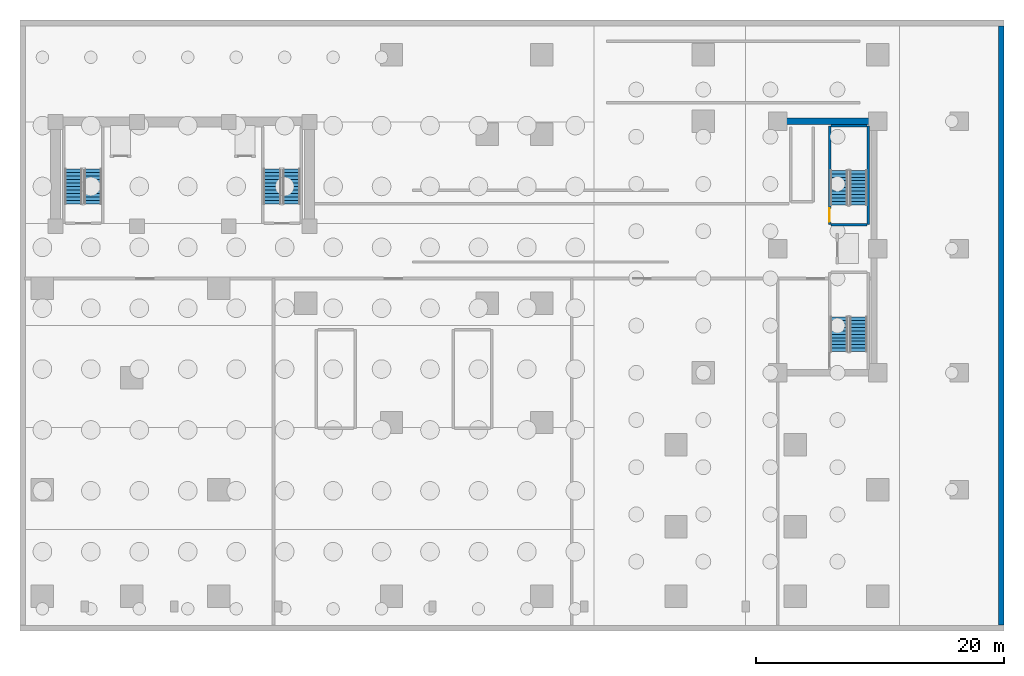
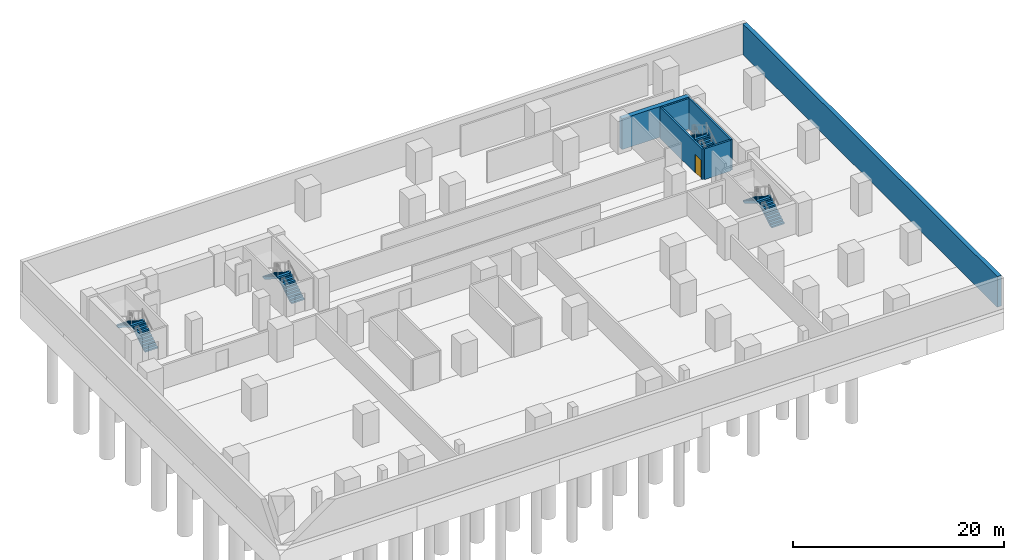
# One storey, part 4 of 7: 8 stair flights, 6 walls, 1 door, 1 opening, 4 elements without a shape of their own.
"""IFC4 building model written with IfcOpenShell, lengths in metres."""

from ifc_helpers import new_model, si_unit, direction, frame, frame_2d, origin, place, context, subcontext, project, spatial, polyline, rectangle, outline, extrude, material, layer, layer_set, type_object, element, fill, aggregate, save


model = new_model("IFC4")

# Units and contexts
model_context = context("Model", 3, precision=1e-05, world=origin(), true_north=direction((0.0, 1.0)))
body_context = subcontext(model_context, "Body", "Model", "MODEL_VIEW")
ifc_project = project(units=[si_unit("LENGTHUNIT", "METRE"), si_unit("AREAUNIT", "SQUARE_METRE"), si_unit("VOLUMEUNIT", "CUBIC_METRE"), si_unit("PLANEANGLEUNIT", "RADIAN"), si_unit("MASSUNIT", "GRAM", prefix="KILO")], contexts=[model_context])

# Site, building, storey
site_placement = place(None, origin())
site = spatial("IfcSite", under=ifc_project, at=site_placement, CompositionType="ELEMENT")
building_placement = place(site_placement, origin())
building = spatial("IfcBuilding", under=site, at=building_placement, Name="Kuzgunbayir Cultural Tower", CompositionType="ELEMENT")
storey_placement = place(building_placement, frame((0.0, 0.0, -11.39990234375)))
storey = spatial("IfcBuildingStorey", under=building, at=storey_placement, Name="B03", CompositionType="ELEMENT", Elevation=-11.39990234375)

# Wall
ifc_material_1 = material(Name="Concrete C40/50", Category="concrete")
ifc_layer_1 = layer(ifc_material_1, 0.449951171875)
ifc_layer_set_1 = layer_set([ifc_layer_1], Name="Concrete C40/50")
wall_type_1 = type_object("IfcWallType", Name="WAL-EXT-BSM-450", PredefinedType="SOLIDWALL", material=ifc_layer_set_1)
wall_1_placement = place(storey_placement, frame((82.580078125, 1.699951171875, 0.0), z_axis=(0.0, 0.0, 1.0), x_axis=(0.0, 1.0, 0.0)))
element("IfcWall", 1, at=wall_1_placement, inside=storey, type_object=wall_type_1, Name="B03 East Retaining Wall", PredefinedType="SOLIDWALL", context=body_context, shape_type="SweptSolid", body=[
    extrude(rectangle(XDim=48.199951171875, YDim=0.449951171875, at=frame_2d((24.10009765625, 0.0))), origin(), (0.0, 0.0, 1.0), 3.5498046875),
])

# Wall, opening, door
ifc_layer_2 = layer(ifc_material_1, 0.199951171875)
ifc_layer_set_2 = layer_set([ifc_layer_2], Name="Concrete C40/50")
wall_type_2 = type_object("IfcWallType", Name="WAL-STAIR-RC-200", PredefinedType="SHEAR", material=ifc_layer_set_2)
wall_2_placement = place(storey_placement, frame((68.760009765625, 33.919921875, 0.0), z_axis=(0.0, 0.0, 1.0), x_axis=(0.0, 1.0, 0.0)))
wall_2 = element("IfcWall", 2, at=wall_2_placement, inside=storey, type_object=wall_type_2, Name="B03 Stair ST-4 West Structural Wall", PredefinedType="SHEAR", context=body_context, shape_type="SweptSolid", body=[
    extrude(rectangle(XDim=7.9599609375, YDim=0.199951171875, at=frame_2d((3.97998046875, 0.0))), origin(), (0.0, 0.0, 1.0), 3.5498046875),
])
opening_placement = place(wall_2_placement, frame((0.219970703125, 0.0, 0.0)))
opening = element("IfcOpeningElement", 3, at=opening_placement, cuts=wall_2, Name="Opening DR-STAIR-90", PredefinedType="OPENING", context=body_context, shape_type="SweptSolid", body=[
    extrude(rectangle(XDim=1.10009765625, YDim=2.14990234375, at=frame_2d((0.550048828125, 1.074951171875))), frame((0.0, 0.10986328125, 0.0), z_axis=(0.0, -1.0, 0.0), x_axis=(1.0, 0.0, 0.0)), (0.0, 0.0, 1.0), 0.219970703125),
])
ifc_material_2 = material(Name="Steel S355J2", Category="steel")
door_type = type_object("IfcDoorType", Name="DR-STAIR-90", OperationType="NOTDEFINED", PredefinedType="DOOR", material=ifc_material_2)
door_placement = place(opening_placement, origin())
door = element("IfcDoor", 4, at=door_placement, inside=storey, type_object=door_type, Name="B03 Stair ST-4 Fire Door", OperationType="SINGLE_SWING_RIGHT", OverallHeight=2.14990234375, OverallWidth=1.10009765625, PredefinedType="DOOR", context=body_context, shape_type="SweptSolid", body=[
    extrude(rectangle(XDim=1.10009765625, YDim=2.14990234375, at=frame_2d((0.550048828125, 1.074951171875))), frame((0.0, 0.02490234375, 0.0), z_axis=(0.0, -1.0, 0.0), x_axis=(1.0, 0.0, 0.0)), (0.0, 0.0, 1.0), 0.050048828125),
])
fill(opening, door)

# Walls
wall_3_placement = place(storey_placement, frame((71.8798828125, 33.919921875, 0.0), z_axis=(0.0, 0.0, 1.0), x_axis=(0.0, 1.0, 0.0)))
element("IfcWall", 5, at=wall_3_placement, inside=storey, type_object=wall_type_2, Name="B03 Stair ST-4 East Structural Wall", PredefinedType="SHEAR", context=body_context, shape_type="SweptSolid", body=[
    extrude(rectangle(XDim=7.9599609375, YDim=0.199951171875, at=frame_2d((3.97998046875, 0.0))), origin(), (0.0, 0.0, 1.0), 3.5498046875),
])
for number, where, z_axis, x_axis, name in (
    (6, (68.8798828125, 41.8798828125, 0.0), (0.0, 0.0, 1.0), (1.0, 0.0, 0.0), "B03 Stair ST-4 North Structural Wall"),
    (7, (68.8798828125, 33.919921875, 0.0), (0.0, 0.0, 1.0), (1.0, 0.0, 0.0), "B03 Stair ST-4 South Structural Wall"),
):
    element("IfcWall", number, at=place(storey_placement, frame(where, z_axis=z_axis, x_axis=x_axis)), inside=storey, type_object=wall_type_2, Name=name, PredefinedType="SHEAR", context=body_context, shape_type="SweptSolid", body=[
        extrude(rectangle(XDim=2.880126953125, YDim=0.199951171875, at=frame_2d((1.43994140625, 0.0))), origin(), (0.0, 0.0, 1.0), 3.5498046875),
    ])
ifc_material_3 = material(Name="Concrete C60/75", Category="concrete")
ifc_layer_3 = layer(ifc_material_3, 0.5)
ifc_layer_set_3 = layer_set([ifc_layer_3], Name="Concrete C60/75")
wall_type_3 = type_object("IfcWallType", Name="WAL-T2-CORE-500", PredefinedType="SHEAR", material=ifc_layer_set_3)
wall_4_placement = place(storey_placement, frame((64.60009765625, 42.25, 0.0), z_axis=(0.0, 0.0, 1.0), x_axis=(1.0, 0.0, 0.0)))
element("IfcWall", 8, at=wall_4_placement, inside=storey, type_object=wall_type_3, Name="B03 Companion Core North Shear Wall", PredefinedType="SHEAR", context=body_context, shape_type="SweptSolid", body=[
    extrude(rectangle(XDim=7.5, YDim=0.5, at=frame_2d((3.75, 0.0))), origin(), (0.0, 0.0, 1.0), 3.5498046875),
])

# Stair, stair flights
stair_type = type_object("IfcStairType", Name="STR-EXIT-CORE", PredefinedType="HALF_TURN_STAIR", material=ifc_material_1)
stair_1_placement = place(storey_placement, origin())
stair_1 = element("IfcStair", 9, at=stair_1_placement, inside=storey, type_object=stair_type, Name="B03 ST-1", PredefinedType="HALF_TURN_STAIR")
stair_flight_type = type_object("IfcStairFlightType", Name="STRF-RC-140", PredefinedType="STRAIGHT", material=ifc_material_1)
stair_flight_1_placement = place(storey_placement, frame((9.4599609375, 35.60009765625, 0.0), z_axis=(0.0, 0.0, 1.0), x_axis=(0.0, 1.0, 0.0)))
stair_flight_1 = element("IfcStairFlight", 10, at=stair_flight_1_placement, type_object=stair_flight_type, Name="ST-1 flight 1", NumberOfRisers=11, NumberOfTreads=10, PredefinedType="STRAIGHT", RiserHeight=0.172727273, TreadLength=0.28, context=body_context, shape_type="SweptSolid", body=[
    extrude(outline(polyline([(0.0, 0.0), (0.0, 0.172607421875), (0.280029296875, 0.172607421875), (0.280029296875, 0.345458984375), (0.56005859375, 0.345458984375), (0.56005859375, 0.51806640625), (0.840087890625, 0.51806640625), (0.840087890625, 0.69091796875), (1.1201171875, 0.69091796875), (1.1201171875, 0.863525390625), (1.39990234375, 0.863525390625), (1.39990234375, 1.036376953125), (1.679931640625, 1.036376953125), (1.679931640625, 1.208984375), (1.9599609375, 1.208984375), (1.9599609375, 1.3818359375), (2.239990234375, 1.3818359375), (2.239990234375, 1.554443359375), (2.52001953125, 1.554443359375), (2.52001953125, 1.727294921875), (2.800048828125, 1.727294921875), (2.800048828125, 1.89990234375), (2.800048828125, 1.515869140625), (0.3427734375, 0.0), (0.0, 0.0)])), frame((0.0, 0.699951171875, 0.0), z_axis=(0.0, -1.0, 0.0), x_axis=(1.0, 0.0, 0.0)), (0.0, 0.0, 1.0), 1.39990234375),
])
stair_flight_2_placement = place(storey_placement, frame((7.89990234375, 38.39990234375, 1.89990234375), z_axis=(0.0, 0.0, 1.0), x_axis=(0.0, -1.0, 0.0)))
stair_flight_2 = element("IfcStairFlight", 11, at=stair_flight_2_placement, type_object=stair_flight_type, Name="ST-1 flight 2", NumberOfRisers=11, NumberOfTreads=10, PredefinedType="STRAIGHT", RiserHeight=0.172727273, TreadLength=0.28, context=body_context, shape_type="SweptSolid", body=[
    extrude(outline(polyline([(0.0, 0.0), (0.0, 0.172607421875), (0.280029296875, 0.172607421875), (0.280029296875, 0.345458984375), (0.56005859375, 0.345458984375), (0.56005859375, 0.51806640625), (0.840087890625, 0.51806640625), (0.840087890625, 0.69091796875), (1.1201171875, 0.69091796875), (1.1201171875, 0.863525390625), (1.39990234375, 0.863525390625), (1.39990234375, 1.036376953125), (1.679931640625, 1.036376953125), (1.679931640625, 1.208984375), (1.9599609375, 1.208984375), (1.9599609375, 1.3818359375), (2.239990234375, 1.3818359375), (2.239990234375, 1.554443359375), (2.52001953125, 1.554443359375), (2.52001953125, 1.727294921875), (2.800048828125, 1.727294921875), (2.800048828125, 1.89990234375), (2.800048828125, 1.515869140625), (0.3427734375, 0.0), (0.0, 0.0)])), frame((0.0, 0.699951171875, 0.0), z_axis=(0.0, -1.0, 0.0), x_axis=(1.0, 0.0, 0.0)), (0.0, 0.0, 1.0), 1.39990234375),
])
aggregate(stair_1, [stair_flight_1, stair_flight_2])

stair_2_placement = place(storey_placement, origin())
stair_2 = element("IfcStair", 12, at=stair_2_placement, inside=storey, type_object=stair_type, Name="B03 ST-2", PredefinedType="HALF_TURN_STAIR")
stair_flight_3_placement = place(storey_placement, frame((25.4599609375, 35.60009765625, 0.0), z_axis=(0.0, 0.0, 1.0), x_axis=(0.0, 1.0, 0.0)))
stair_flight_3 = element("IfcStairFlight", 13, at=stair_flight_3_placement, type_object=stair_flight_type, Name="ST-2 flight 1", NumberOfRisers=11, NumberOfTreads=10, PredefinedType="STRAIGHT", RiserHeight=0.172727273, TreadLength=0.28, context=body_context, shape_type="SweptSolid", body=[
    extrude(outline(polyline([(0.0, 0.0), (0.0, 0.172607421875), (0.280029296875, 0.172607421875), (0.280029296875, 0.345458984375), (0.56005859375, 0.345458984375), (0.56005859375, 0.51806640625), (0.840087890625, 0.51806640625), (0.840087890625, 0.69091796875), (1.1201171875, 0.69091796875), (1.1201171875, 0.863525390625), (1.39990234375, 0.863525390625), (1.39990234375, 1.036376953125), (1.679931640625, 1.036376953125), (1.679931640625, 1.208984375), (1.9599609375, 1.208984375), (1.9599609375, 1.3818359375), (2.239990234375, 1.3818359375), (2.239990234375, 1.554443359375), (2.52001953125, 1.554443359375), (2.52001953125, 1.727294921875), (2.800048828125, 1.727294921875), (2.800048828125, 1.89990234375), (2.800048828125, 1.515869140625), (0.3427734375, 0.0), (0.0, 0.0)])), frame((0.0, 0.699951171875, 0.0), z_axis=(0.0, -1.0, 0.0), x_axis=(1.0, 0.0, 0.0)), (0.0, 0.0, 1.0), 1.39990234375),
])
stair_flight_4_placement = place(storey_placement, frame((23.89990234375, 38.39990234375, 1.89990234375), z_axis=(0.0, 0.0, 1.0), x_axis=(0.0, -1.0, 0.0)))
stair_flight_4 = element("IfcStairFlight", 14, at=stair_flight_4_placement, type_object=stair_flight_type, Name="ST-2 flight 2", NumberOfRisers=11, NumberOfTreads=10, PredefinedType="STRAIGHT", RiserHeight=0.172727273, TreadLength=0.28, context=body_context, shape_type="SweptSolid", body=[
    extrude(outline(polyline([(0.0, 0.0), (0.0, 0.172607421875), (0.280029296875, 0.172607421875), (0.280029296875, 0.345458984375), (0.56005859375, 0.345458984375), (0.56005859375, 0.51806640625), (0.840087890625, 0.51806640625), (0.840087890625, 0.69091796875), (1.1201171875, 0.69091796875), (1.1201171875, 0.863525390625), (1.39990234375, 0.863525390625), (1.39990234375, 1.036376953125), (1.679931640625, 1.036376953125), (1.679931640625, 1.208984375), (1.9599609375, 1.208984375), (1.9599609375, 1.3818359375), (2.239990234375, 1.3818359375), (2.239990234375, 1.554443359375), (2.52001953125, 1.554443359375), (2.52001953125, 1.727294921875), (2.800048828125, 1.727294921875), (2.800048828125, 1.89990234375), (2.800048828125, 1.515869140625), (0.3427734375, 0.0), (0.0, 0.0)])), frame((0.0, 0.699951171875, 0.0), z_axis=(0.0, -1.0, 0.0), x_axis=(1.0, 0.0, 0.0)), (0.0, 0.0, 1.0), 1.39990234375),
])
aggregate(stair_2, [stair_flight_3, stair_flight_4])

stair_3_placement = place(storey_placement, origin())
stair_3 = element("IfcStair", 15, at=stair_3_placement, inside=storey, type_object=stair_type, Name="B03 ST-3", PredefinedType="HALF_TURN_STAIR")
stair_flight_5_placement = place(storey_placement, frame((71.10009765625, 23.699951171875, 0.0), z_axis=(0.0, 0.0, 1.0), x_axis=(0.0, 1.0, 0.0)))
stair_flight_5 = element("IfcStairFlight", 16, at=stair_flight_5_placement, type_object=stair_flight_type, Name="ST-3 flight 1", NumberOfRisers=11, NumberOfTreads=10, PredefinedType="STRAIGHT", RiserHeight=0.172727273, TreadLength=0.28, context=body_context, shape_type="SweptSolid", body=[
    extrude(outline(polyline([(0.0, 0.0), (0.0, 0.172607421875), (0.280029296875, 0.172607421875), (0.280029296875, 0.345458984375), (0.56005859375, 0.345458984375), (0.56005859375, 0.51806640625), (0.840087890625, 0.51806640625), (0.840087890625, 0.69091796875), (1.1201171875, 0.69091796875), (1.1201171875, 0.863525390625), (1.39990234375, 0.863525390625), (1.39990234375, 1.036376953125), (1.679931640625, 1.036376953125), (1.679931640625, 1.208984375), (1.9599609375, 1.208984375), (1.9599609375, 1.3818359375), (2.239990234375, 1.3818359375), (2.239990234375, 1.554443359375), (2.52001953125, 1.554443359375), (2.52001953125, 1.727294921875), (2.800048828125, 1.727294921875), (2.800048828125, 1.89990234375), (2.800048828125, 1.515869140625), (0.3427734375, 0.0), (0.0, 0.0)])), frame((0.0, 0.699951171875, 0.0), z_axis=(0.0, -1.0, 0.0), x_axis=(1.0, 0.0, 0.0)), (0.0, 0.0, 1.0), 1.39990234375),
])
stair_flight_6_placement = place(storey_placement, frame((69.5400390625, 26.5, 1.89990234375), z_axis=(0.0, 0.0, 1.0), x_axis=(0.0, -1.0, 0.0)))
stair_flight_6 = element("IfcStairFlight", 17, at=stair_flight_6_placement, type_object=stair_flight_type, Name="ST-3 flight 2", NumberOfRisers=11, NumberOfTreads=10, PredefinedType="STRAIGHT", RiserHeight=0.172727273, TreadLength=0.28, context=body_context, shape_type="SweptSolid", body=[
    extrude(outline(polyline([(0.0, 0.0), (0.0, 0.172607421875), (0.280029296875, 0.172607421875), (0.280029296875, 0.345458984375), (0.56005859375, 0.345458984375), (0.56005859375, 0.51806640625), (0.840087890625, 0.51806640625), (0.840087890625, 0.69091796875), (1.1201171875, 0.69091796875), (1.1201171875, 0.863525390625), (1.39990234375, 0.863525390625), (1.39990234375, 1.036376953125), (1.679931640625, 1.036376953125), (1.679931640625, 1.208984375), (1.9599609375, 1.208984375), (1.9599609375, 1.3818359375), (2.239990234375, 1.3818359375), (2.239990234375, 1.554443359375), (2.52001953125, 1.554443359375), (2.52001953125, 1.727294921875), (2.800048828125, 1.727294921875), (2.800048828125, 1.89990234375), (2.800048828125, 1.515869140625), (0.3427734375, 0.0), (0.0, 0.0)])), frame((0.0, 0.699951171875, 0.0), z_axis=(0.0, -1.0, 0.0), x_axis=(1.0, 0.0, 0.0)), (0.0, 0.0, 1.0), 1.39990234375),
])
aggregate(stair_3, [stair_flight_5, stair_flight_6])

stair_4_placement = place(storey_placement, origin())
stair_4 = element("IfcStair", 18, at=stair_4_placement, inside=storey, type_object=stair_type, Name="B03 ST-4", PredefinedType="HALF_TURN_STAIR")
stair_flight_7_placement = place(storey_placement, frame((71.10009765625, 35.5, 0.0), z_axis=(0.0, 0.0, 1.0), x_axis=(0.0, 1.0, 0.0)))
stair_flight_7 = element("IfcStairFlight", 19, at=stair_flight_7_placement, type_object=stair_flight_type, Name="ST-4 flight 1", NumberOfRisers=11, NumberOfTreads=10, PredefinedType="STRAIGHT", RiserHeight=0.172727273, TreadLength=0.28, context=body_context, shape_type="SweptSolid", body=[
    extrude(outline(polyline([(0.0, 0.0), (0.0, 0.172607421875), (0.280029296875, 0.172607421875), (0.280029296875, 0.345458984375), (0.56005859375, 0.345458984375), (0.56005859375, 0.51806640625), (0.840087890625, 0.51806640625), (0.840087890625, 0.69091796875), (1.1201171875, 0.69091796875), (1.1201171875, 0.863525390625), (1.39990234375, 0.863525390625), (1.39990234375, 1.036376953125), (1.679931640625, 1.036376953125), (1.679931640625, 1.208984375), (1.9599609375, 1.208984375), (1.9599609375, 1.3818359375), (2.239990234375, 1.3818359375), (2.239990234375, 1.554443359375), (2.52001953125, 1.554443359375), (2.52001953125, 1.727294921875), (2.800048828125, 1.727294921875), (2.800048828125, 1.89990234375), (2.800048828125, 1.515869140625), (0.3427734375, 0.0), (0.0, 0.0)])), frame((0.0, 0.699951171875, 0.0), z_axis=(0.0, -1.0, 0.0), x_axis=(1.0, 0.0, 0.0)), (0.0, 0.0, 1.0), 1.39990234375),
])
stair_flight_8_placement = place(storey_placement, frame((69.5400390625, 38.300048828125, 1.89990234375), z_axis=(0.0, 0.0, 1.0), x_axis=(0.0, -1.0, 0.0)))
stair_flight_8 = element("IfcStairFlight", 20, at=stair_flight_8_placement, type_object=stair_flight_type, Name="ST-4 flight 2", NumberOfRisers=11, NumberOfTreads=10, PredefinedType="STRAIGHT", RiserHeight=0.172727273, TreadLength=0.28, context=body_context, shape_type="SweptSolid", body=[
    extrude(outline(polyline([(0.0, 0.0), (0.0, 0.172607421875), (0.280029296875, 0.172607421875), (0.280029296875, 0.345458984375), (0.56005859375, 0.345458984375), (0.56005859375, 0.51806640625), (0.840087890625, 0.51806640625), (0.840087890625, 0.69091796875), (1.1201171875, 0.69091796875), (1.1201171875, 0.863525390625), (1.39990234375, 0.863525390625), (1.39990234375, 1.036376953125), (1.679931640625, 1.036376953125), (1.679931640625, 1.208984375), (1.9599609375, 1.208984375), (1.9599609375, 1.3818359375), (2.239990234375, 1.3818359375), (2.239990234375, 1.554443359375), (2.52001953125, 1.554443359375), (2.52001953125, 1.727294921875), (2.800048828125, 1.727294921875), (2.800048828125, 1.89990234375), (2.800048828125, 1.515869140625), (0.3427734375, 0.0), (0.0, 0.0)])), frame((0.0, 0.699951171875, 0.0), z_axis=(0.0, -1.0, 0.0), x_axis=(1.0, 0.0, 0.0)), (0.0, 0.0, 1.0), 1.39990234375),
])
aggregate(stair_4, [stair_flight_7, stair_flight_8])

save(model, "model.ifc")
